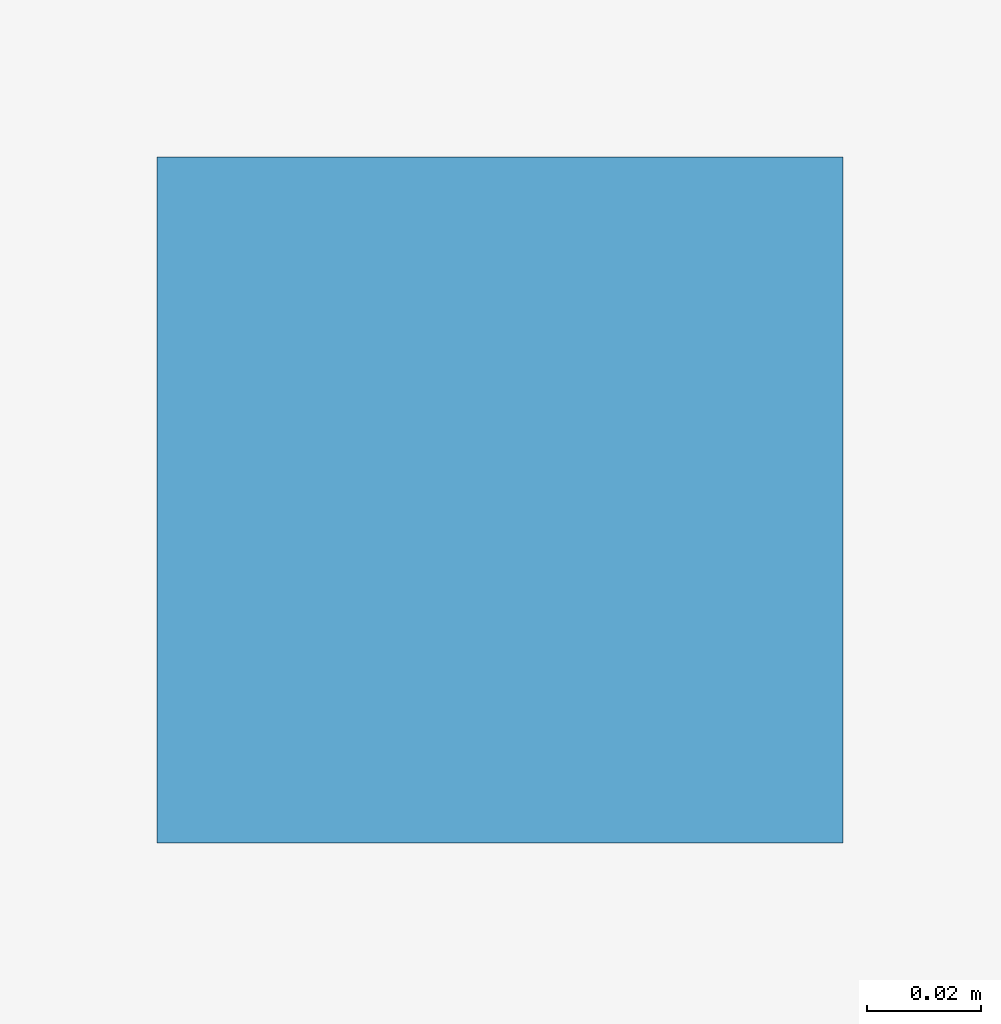
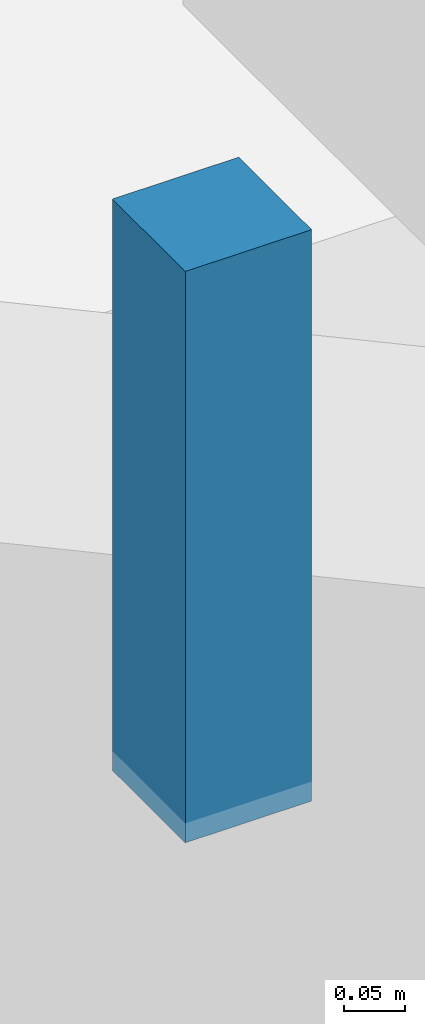
# One storey, part 63 of 77: 1 discrete accessory.
"""IFC4 building model written with IfcOpenShell, lengths in metres."""

from ifc_helpers import new_model, si_unit, direction, frame, origin, origin_2d, place, context, subcontext, project, spatial, rectangle, extrude, material, layer, layer_set, type_object, element, save


model = new_model("IFC4")

# Units and contexts
model_context = context("Model", 3, precision=1e-05, world=origin(), true_north=direction((0.0, 1.0)))
body_context = subcontext(model_context, "Body", "Model", "MODEL_VIEW")
ifc_project = project(units=[si_unit("LENGTHUNIT", "METRE"), si_unit("AREAUNIT", "SQUARE_METRE"), si_unit("VOLUMEUNIT", "CUBIC_METRE"), si_unit("PLANEANGLEUNIT", "RADIAN"), si_unit("MASSUNIT", "GRAM", prefix="KILO")], contexts=[model_context])

# Site, building, storey
site_placement = place(None, origin())
site = spatial("IfcSite", under=ifc_project, at=site_placement, CompositionType="ELEMENT")
building_placement = place(site_placement, origin())
building = spatial("IfcBuilding", under=site, at=building_placement, Name="Luwafu Chhajja Arena", CompositionType="ELEMENT")
storey_placement = place(building_placement, frame((0.0, 0.0, 14.699951171875)))
storey = spatial("IfcBuildingStorey", under=building, at=storey_placement, Name="L03", CompositionType="ELEMENT", Elevation=14.699951171875)

# Discrete accessory
ifc_material = material(Name="Stainless steel bracket", Category="steel")
ifc_layer = layer(ifc_material, 0.179931640625, Name="Stainless steel bracket")
ifc_layer_set = layer_set([ifc_layer], Name="Stainless steel bracket")
discrete_accessory_type = type_object("IfcDiscreteAccessoryType", Name="Stainless Steel Facade Support Bracket", PredefinedType="BRACKET", material=ifc_layer_set)
discrete_accessory_placement = place(storey_placement, frame((148.300048828125, 71.5, 3.93603515625), z_axis=(0.0, 0.0, 1.0), x_axis=(1.0, 0.0, 0.0)))
element("IfcDiscreteAccessory", 1, at=discrete_accessory_placement, inside=storey, type_object=discrete_accessory_type, Name="L03 Ceiling Suspension Hanger 048", PredefinedType="BRACKET", context=body_context, shape_type="SweptSolid", body=[
    extrude(rectangle(XDim=0.1201171875, YDim=0.1201171875, at=origin_2d()), origin(), (0.0, 0.0, 1.0), 0.573974609375),
])

save(model, "model.ifc")
